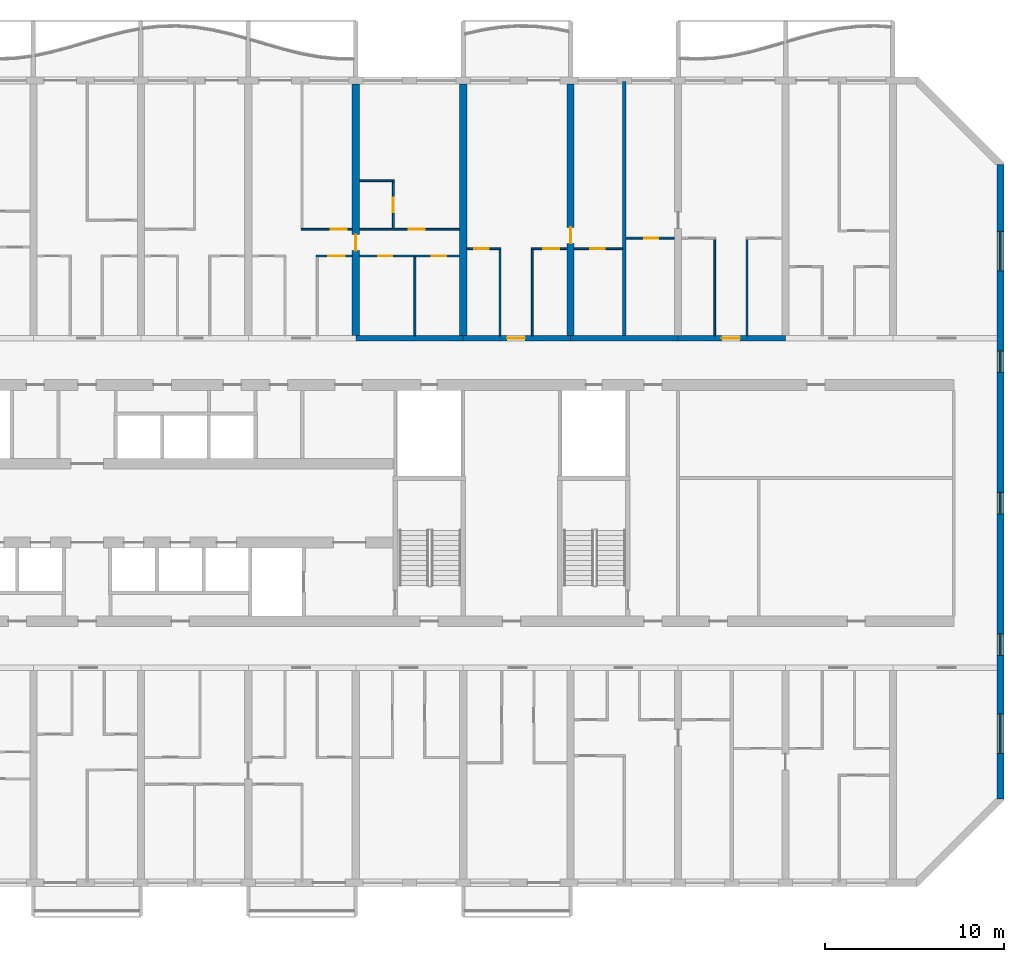
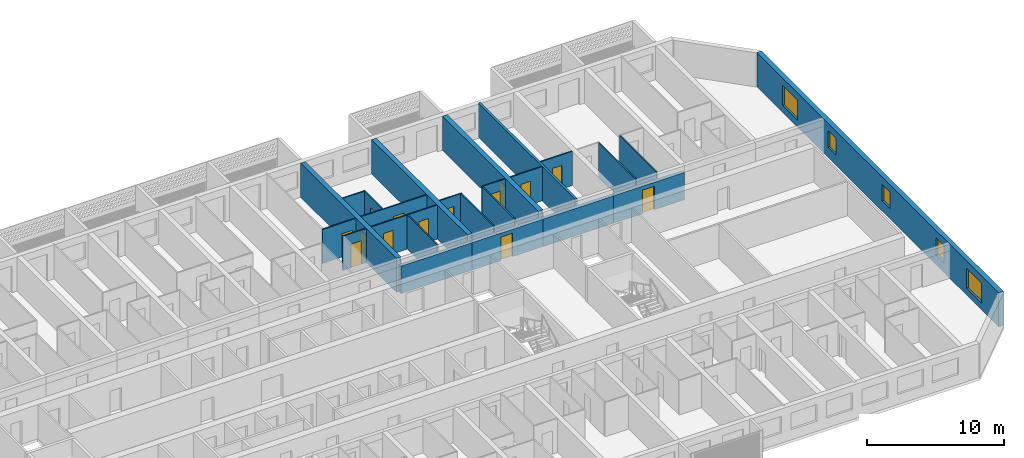
# One storey, part 18 of 44: 24 walls, 14 doors, 5 windows, 19 openings.
"""IFC4 building model written with IfcOpenShell, lengths in metres."""

from ifc_helpers import new_model, si_unit, direction, frame, frame_2d, origin, place, context, subcontext, project, spatial, rectangle, extrude, material, layer, layer_set, type_object, element, fill, save


model = new_model("IFC4")

# Units and contexts
model_context = context("Model", 3, precision=1e-05, world=origin(), true_north=direction((0.0, 1.0)))
body_context = subcontext(model_context, "Body", "Model", "MODEL_VIEW")
ifc_project = project(units=[si_unit("LENGTHUNIT", "METRE"), si_unit("AREAUNIT", "SQUARE_METRE"), si_unit("VOLUMEUNIT", "CUBIC_METRE"), si_unit("PLANEANGLEUNIT", "RADIAN"), si_unit("MASSUNIT", "GRAM", prefix="KILO")], contexts=[model_context])

# Site, building, storey
site_placement = place(None, origin())
site = spatial("IfcSite", under=ifc_project, at=site_placement, CompositionType="ELEMENT")
building_placement = place(site_placement, origin())
building = spatial("IfcBuilding", under=site, at=building_placement, Name="Poui Terraces", CompositionType="ELEMENT")
storey_placement = place(building_placement, frame((0.0, 0.0, 30.0)))
storey = spatial("IfcBuildingStorey", under=building, at=storey_placement, Name="L07", CompositionType="ELEMENT", Elevation=30.0)

# Wall
ifc_material_1 = material(Name="Concrete 80 MPa", Category="concrete")
ifc_layer_1 = layer(ifc_material_1, 0.300048828125)
ifc_layer_set_1 = layer_set([ifc_layer_1], Name="Concrete 80 MPa")
wall_type_1 = type_object("IfcWallType", Name="CORRIDOR WALL 300 80MPa", PredefinedType="SHEAR", material=ifc_layer_set_1)
wall_1_placement = place(storey_placement, frame((66.0, 30.39990234375, 0.0), z_axis=(0.0, 0.0, 1.0), x_axis=(1.0, 0.0, 0.0)))
element("IfcWall", 1, at=wall_1_placement, inside=storey, type_object=wall_type_1, Name="CORRIDOR WALL LINE E BAY 12", PredefinedType="SHEAR", context=body_context, shape_type="SweptSolid", body=[
    extrude(rectangle(XDim=6.0, YDim=0.300048828125, at=frame_2d((3.0, 0.0))), origin(), (0.0, 0.0, 1.0), 2.449951171875),
])

# Wall, opening, door
wall_2_placement = place(storey_placement, frame((72.0, 30.39990234375, 0.0), z_axis=(0.0, 0.0, 1.0), x_axis=(1.0, 0.0, 0.0)))
wall_2 = element("IfcWall", 2, at=wall_2_placement, inside=storey, type_object=wall_type_1, Name="CORRIDOR WALL LINE E BAY 13", PredefinedType="SHEAR", context=body_context, shape_type="SweptSolid", body=[
    extrude(rectangle(XDim=6.0, YDim=0.300048828125, at=frame_2d((3.0, 0.0))), origin(), (0.0, 0.0, 1.0), 2.449951171875),
])
opening_1_placement = place(wall_2_placement, frame((2.449951171875, 0.0, 0.0)))
opening_1 = element("IfcOpeningElement", 3, at=opening_1_placement, cuts=wall_2, Name="Opening FD30S", PredefinedType="OPENING", context=body_context, shape_type="SweptSolid", body=[
    extrude(rectangle(XDim=1.0, YDim=2.10009765625, at=frame_2d((0.5, 1.050048828125))), frame((0.0, 0.16015625, 0.0), z_axis=(0.0, -1.0, 0.0), x_axis=(1.0, 0.0, 0.0)), (0.0, 0.0, 1.0), 0.320068359375),
])
ifc_material_2 = material(Name="Steel fire door", Category="steel")
door_type_1 = type_object("IfcDoorType", Name="FLAT ENTRANCE DOOR 1000 X 2100", OperationType="NOTDEFINED", PredefinedType="DOOR", material=ifc_material_2)
door_1_placement = place(opening_1_placement, origin())
door_1 = element("IfcDoor", 4, at=door_1_placement, inside=storey, type_object=door_type_1, Name="FLAT ENTRANCE DOOR 078", OperationType="SINGLE_SWING_LEFT", OverallHeight=2.10009765625, OverallWidth=1.0, PredefinedType="DOOR", context=body_context, shape_type="SweptSolid", body=[
    extrude(rectangle(XDim=1.0, YDim=2.10009765625, at=frame_2d((0.5, 1.050048828125))), frame((0.0, 0.02490234375, 0.0), z_axis=(0.0, -1.0, 0.0), x_axis=(1.0, 0.0, 0.0)), (0.0, 0.0, 1.0), 0.050048828125),
])
fill(opening_1, door_1)

# Wall
wall_3_placement = place(storey_placement, frame((78.0, 30.39990234375, 0.0), z_axis=(0.0, 0.0, 1.0), x_axis=(1.0, 0.0, 0.0)))
element("IfcWall", 5, at=wall_3_placement, inside=storey, type_object=wall_type_1, Name="CORRIDOR WALL LINE E BAY 14", PredefinedType="SHEAR", context=body_context, shape_type="SweptSolid", body=[
    extrude(rectangle(XDim=6.0, YDim=0.300048828125, at=frame_2d((3.0, 0.0))), origin(), (0.0, 0.0, 1.0), 2.449951171875),
])

# Wall, opening, door
wall_4_placement = place(storey_placement, frame((84.0, 30.39990234375, 0.0), z_axis=(0.0, 0.0, 1.0), x_axis=(1.0, 0.0, 0.0)))
wall_4 = element("IfcWall", 6, at=wall_4_placement, inside=storey, type_object=wall_type_1, Name="CORRIDOR WALL LINE E BAY 15", PredefinedType="SHEAR", context=body_context, shape_type="SweptSolid", body=[
    extrude(rectangle(XDim=6.0, YDim=0.300048828125, at=frame_2d((3.0, 0.0))), origin(), (0.0, 0.0, 1.0), 2.449951171875),
])
opening_2_placement = place(wall_4_placement, frame((2.449951171875, 0.0, 0.0)))
opening_2 = element("IfcOpeningElement", 7, at=opening_2_placement, cuts=wall_4, Name="Opening FD30S", PredefinedType="OPENING", context=body_context, shape_type="SweptSolid", body=[
    extrude(rectangle(XDim=1.0, YDim=2.10009765625, at=frame_2d((0.5, 1.050048828125))), frame((0.0, 0.16015625, 0.0), z_axis=(0.0, -1.0, 0.0), x_axis=(1.0, 0.0, 0.0)), (0.0, 0.0, 1.0), 0.320068359375),
])
door_2_placement = place(opening_2_placement, origin())
door_2 = element("IfcDoor", 8, at=door_2_placement, inside=storey, type_object=door_type_1, Name="FLAT ENTRANCE DOOR 084", OperationType="SINGLE_SWING_LEFT", OverallHeight=2.10009765625, OverallWidth=1.0, PredefinedType="DOOR", context=body_context, shape_type="SweptSolid", body=[
    extrude(rectangle(XDim=1.0, YDim=2.10009765625, at=frame_2d((0.5, 1.050048828125))), frame((0.0, 0.02490234375, 0.0), z_axis=(0.0, -1.0, 0.0), x_axis=(1.0, 0.0, 0.0)), (0.0, 0.0, 1.0), 0.050048828125),
])
fill(opening_2, door_2)

ifc_layer_2 = layer(ifc_material_1, 0.39990234375)
ifc_layer_set_2 = layer_set([ifc_layer_2], Name="Concrete 80 MPa")
wall_type_2 = type_object("IfcWallType", Name="CROSS WALL 400 80MPa", PredefinedType="SHEAR", material=ifc_layer_set_2)
wall_5_placement = place(storey_placement, frame((66.0, 30.550048828125, 0.0), z_axis=(0.0, 0.0, 1.0), x_axis=(0.0, 1.0, 0.0)))
wall_5 = element("IfcWall", 9, at=wall_5_placement, inside=storey, type_object=wall_type_2, Name="CROSS WALL LINE 12 NORTH", PredefinedType="SHEAR", context=body_context, shape_type="SweptSolid", body=[
    extrude(rectangle(XDim=14.050048828125, YDim=0.39990234375, at=frame_2d((7.02490234375, 0.0))), origin(), (0.0, 0.0, 1.0), 3.050048828125),
])
opening_3_placement = place(wall_5_placement, frame((4.75, 0.0, 0.0)))
opening_3 = element("IfcOpeningElement", 10, at=opening_3_placement, cuts=wall_5, Name="Opening D90", PredefinedType="OPENING", context=body_context, shape_type="SweptSolid", body=[
    extrude(rectangle(XDim=0.89990234375, YDim=2.10009765625, at=frame_2d((0.449951171875, 1.050048828125))), frame((0.0, 0.2099609375, 0.0), z_axis=(0.0, -1.0, 0.0), x_axis=(1.0, 0.0, 0.0)), (0.0, 0.0, 1.0), 0.419921875),
])
ifc_material_3 = material(Name="Solid core timber door", Category="wood")
door_type_2 = type_object("IfcDoorType", Name="INTERNAL DOOR 900 X 2100", OperationType="NOTDEFINED", PredefinedType="DOOR", material=ifc_material_3)
door_3_placement = place(opening_3_placement, origin())
door_3 = element("IfcDoor", 11, at=door_3_placement, inside=storey, type_object=door_type_2, Name="INTERNAL DOOR 074", OperationType="SINGLE_SWING_LEFT", OverallHeight=2.10009765625, OverallWidth=0.89990234375, PredefinedType="DOOR", context=body_context, shape_type="SweptSolid", body=[
    extrude(rectangle(XDim=0.89990234375, YDim=2.10009765625, at=frame_2d((0.449951171875, 1.050048828125))), frame((0.0, 0.02490234375, 0.0), z_axis=(0.0, -1.0, 0.0), x_axis=(1.0, 0.0, 0.0)), (0.0, 0.0, 1.0), 0.050048828125),
])
fill(opening_3, door_3)

# Wall
wall_6_placement = place(storey_placement, frame((72.0, 30.550048828125, 0.0), z_axis=(0.0, 0.0, 1.0), x_axis=(0.0, 1.0, 0.0)))
element("IfcWall", 12, at=wall_6_placement, inside=storey, type_object=wall_type_2, Name="CROSS WALL LINE 13 NORTH", PredefinedType="SHEAR", context=body_context, shape_type="SweptSolid", body=[
    extrude(rectangle(XDim=14.050048828125, YDim=0.39990234375, at=frame_2d((7.02490234375, 0.0))), origin(), (0.0, 0.0, 1.0), 3.050048828125),
])

# Wall, opening, door
wall_7_placement = place(storey_placement, frame((78.0, 30.550048828125, 0.0), z_axis=(0.0, 0.0, 1.0), x_axis=(0.0, 1.0, 0.0)))
wall_7 = element("IfcWall", 13, at=wall_7_placement, inside=storey, type_object=wall_type_2, Name="CROSS WALL LINE 14 NORTH", PredefinedType="SHEAR", context=body_context, shape_type="SweptSolid", body=[
    extrude(rectangle(XDim=14.050048828125, YDim=0.39990234375, at=frame_2d((7.02490234375, 0.0))), origin(), (0.0, 0.0, 1.0), 3.050048828125),
])
opening_4_placement = place(wall_7_placement, frame((5.14990234375, 0.0, 0.0)))
opening_4 = element("IfcOpeningElement", 14, at=opening_4_placement, cuts=wall_7, Name="Opening D90", PredefinedType="OPENING", context=body_context, shape_type="SweptSolid", body=[
    extrude(rectangle(XDim=0.89990234375, YDim=2.10009765625, at=frame_2d((0.449951171875, 1.050048828125))), frame((0.0, 0.2099609375, 0.0), z_axis=(0.0, -1.0, 0.0), x_axis=(1.0, 0.0, 0.0)), (0.0, 0.0, 1.0), 0.419921875),
])
door_4_placement = place(opening_4_placement, frame((0.89990234375, 0.0, 0.0), z_axis=(0.0, 0.0, 1.0), x_axis=(-1.0, 0.0, 0.0)))
door_4 = element("IfcDoor", 15, at=door_4_placement, inside=storey, type_object=door_type_2, Name="INTERNAL DOOR 080", OperationType="SINGLE_SWING_RIGHT", OverallHeight=2.10009765625, OverallWidth=0.89990234375, PredefinedType="DOOR", context=body_context, shape_type="SweptSolid", body=[
    extrude(rectangle(XDim=0.89990234375, YDim=2.10009765625, at=frame_2d((0.449951171875, 1.050048828125))), frame((0.0, 0.02490234375, 0.0), z_axis=(0.0, -1.0, 0.0), x_axis=(1.0, 0.0, 0.0)), (0.0, 0.0, 1.0), 0.050048828125),
])
fill(opening_4, door_4)

# Wall, openings, windows
ifc_layer_3 = layer(ifc_material_1, 0.39990234375)
ifc_layer_set_3 = layer_set([ifc_layer_3], Name="Concrete 80 MPa")
wall_type_3 = type_object("IfcWallType", Name="END WALL 400 80MPa", PredefinedType="SHEAR", material=ifc_layer_set_3)
wall_8_placement = place(storey_placement, frame((102.0, 4.682861328125, 0.0), z_axis=(0.0, 0.0, 1.0), x_axis=(0.0, 1.0, 0.0)))
wall_8 = element("IfcWall", 16, at=wall_8_placement, inside=storey, type_object=wall_type_3, Name="END WALL EAST", PredefinedType="SHEAR", context=body_context, shape_type="SweptSolid", body=[
    extrude(rectangle(XDim=35.434326171875, YDim=0.39990234375, at=frame_2d((17.71728515625, 0.0))), origin(), (0.0, 0.0, 1.0), 3.050048828125),
])
opening_5_placement = place(wall_8_placement, frame((15.917236328125, 0.0, 0.89990234375)))
opening_5 = element("IfcOpeningElement", 17, at=opening_5_placement, cuts=wall_8, Name="Opening W2", PredefinedType="OPENING", context=body_context, shape_type="SweptSolid", body=[
    extrude(rectangle(XDim=1.199951171875, YDim=1.5, at=frame_2d((0.60009765625, 0.75))), frame((0.0, 0.2099609375, 0.0), z_axis=(0.0, -1.0, 0.0), x_axis=(1.0, 0.0, 0.0)), (0.0, 0.0, 1.0), 0.419921875),
])
opening_6_placement = place(wall_8_placement, frame((23.817138671875, 0.0, 0.89990234375)))
opening_6 = element("IfcOpeningElement", 18, at=opening_6_placement, cuts=wall_8, Name="Opening W2", PredefinedType="OPENING", context=body_context, shape_type="SweptSolid", body=[
    extrude(rectangle(XDim=1.199951171875, YDim=1.5, at=frame_2d((0.60009765625, 0.75))), frame((0.0, 0.2099609375, 0.0), z_axis=(0.0, -1.0, 0.0), x_axis=(1.0, 0.0, 0.0)), (0.0, 0.0, 1.0), 0.419921875),
])
opening_7_placement = place(wall_8_placement, frame((8.01708984375, 0.0, 0.89990234375)))
opening_7 = element("IfcOpeningElement", 19, at=opening_7_placement, cuts=wall_8, Name="Opening W2", PredefinedType="OPENING", context=body_context, shape_type="SweptSolid", body=[
    extrude(rectangle(XDim=1.199951171875, YDim=1.5, at=frame_2d((0.60009765625, 0.75))), frame((0.0, 0.2099609375, 0.0), z_axis=(0.0, -1.0, 0.0), x_axis=(1.0, 0.0, 0.0)), (0.0, 0.0, 1.0), 0.419921875),
])
opening_8_placement = place(wall_8_placement, frame((29.493408203125, 0.0, 0.60009765625)))
opening_8 = element("IfcOpeningElement", 20, at=opening_8_placement, cuts=wall_8, Name="Opening W3", PredefinedType="OPENING", context=body_context, shape_type="SweptSolid", body=[
    extrude(rectangle(XDim=2.199951171875, YDim=1.800048828125, at=frame_2d((1.10009765625, 0.89990234375))), frame((0.0, 0.2099609375, 0.0), z_axis=(0.0, -1.0, 0.0), x_axis=(1.0, 0.0, 0.0)), (0.0, 0.0, 1.0), 0.419921875),
])
opening_9_placement = place(wall_8_placement, frame((2.541015625, 0.0, 0.60009765625)))
opening_9 = element("IfcOpeningElement", 21, at=opening_9_placement, cuts=wall_8, Name="Opening W3", PredefinedType="OPENING", context=body_context, shape_type="SweptSolid", body=[
    extrude(rectangle(XDim=2.199951171875, YDim=1.800048828125, at=frame_2d((1.10009765625, 0.89990234375))), frame((0.0, 0.2099609375, 0.0), z_axis=(0.0, -1.0, 0.0), x_axis=(1.0, 0.0, 0.0)), (0.0, 0.0, 1.0), 0.419921875),
])
ifc_material_4 = material(Name="Clear glass in aluminium frame", Category="aluminium")
window_type_1 = type_object("IfcWindowType", Name="WINDOW 1200X1500", PartitioningType="SINGLE_PANEL", PredefinedType="WINDOW", material=ifc_material_4)
window_1_placement = place(opening_5_placement, origin())
window_1 = element("IfcWindow", 22, at=window_1_placement, inside=storey, type_object=window_type_1, Name="W2 WINDOW", OverallHeight=1.5, OverallWidth=1.199951171875, PartitioningType="SINGLE_PANEL", PredefinedType="WINDOW", context=body_context, shape_type="SweptSolid", body=[
    extrude(rectangle(XDim=1.199951171875, YDim=1.5, at=frame_2d((0.60009765625, 0.75))), frame((0.0, 0.030029296875, 0.0), z_axis=(0.0, -1.0, 0.0), x_axis=(1.0, 0.0, 0.0)), (0.0, 0.0, 1.0), 0.06005859375),
])
fill(opening_5, window_1)
window_2_placement = place(opening_6_placement, origin())
window_2 = element("IfcWindow", 23, at=window_2_placement, inside=storey, type_object=window_type_1, Name="W2 WINDOW", OverallHeight=1.5, OverallWidth=1.199951171875, PartitioningType="SINGLE_PANEL", PredefinedType="WINDOW", context=body_context, shape_type="SweptSolid", body=[
    extrude(rectangle(XDim=1.199951171875, YDim=1.5, at=frame_2d((0.60009765625, 0.75))), frame((0.0, 0.030029296875, 0.0), z_axis=(0.0, -1.0, 0.0), x_axis=(1.0, 0.0, 0.0)), (0.0, 0.0, 1.0), 0.06005859375),
])
fill(opening_6, window_2)
window_3_placement = place(opening_7_placement, origin())
window_3 = element("IfcWindow", 24, at=window_3_placement, inside=storey, type_object=window_type_1, Name="W2 WINDOW", OverallHeight=1.5, OverallWidth=1.199951171875, PartitioningType="SINGLE_PANEL", PredefinedType="WINDOW", context=body_context, shape_type="SweptSolid", body=[
    extrude(rectangle(XDim=1.199951171875, YDim=1.5, at=frame_2d((0.60009765625, 0.75))), frame((0.0, 0.030029296875, 0.0), z_axis=(0.0, -1.0, 0.0), x_axis=(1.0, 0.0, 0.0)), (0.0, 0.0, 1.0), 0.06005859375),
])
fill(opening_7, window_3)
window_type_2 = type_object("IfcWindowType", Name="WINDOW 2200X1800", PartitioningType="DOUBLE_PANEL_HORIZONTAL", PredefinedType="WINDOW", material=ifc_material_4)
window_4_placement = place(opening_8_placement, origin())
window_4 = element("IfcWindow", 25, at=window_4_placement, inside=storey, type_object=window_type_2, Name="W3 WINDOW", OverallHeight=1.800048828125, OverallWidth=2.199951171875, PartitioningType="DOUBLE_PANEL_HORIZONTAL", PredefinedType="WINDOW", context=body_context, shape_type="SweptSolid", body=[
    extrude(rectangle(XDim=2.199951171875, YDim=1.800048828125, at=frame_2d((1.10009765625, 0.89990234375))), frame((0.0, 0.030029296875, 0.0), z_axis=(0.0, -1.0, 0.0), x_axis=(1.0, 0.0, 0.0)), (0.0, 0.0, 1.0), 0.06005859375),
])
fill(opening_8, window_4)
window_5_placement = place(opening_9_placement, origin())
window_5 = element("IfcWindow", 26, at=window_5_placement, inside=storey, type_object=window_type_2, Name="W3 WINDOW", OverallHeight=1.800048828125, OverallWidth=2.199951171875, PartitioningType="DOUBLE_PANEL_HORIZONTAL", PredefinedType="WINDOW", context=body_context, shape_type="SweptSolid", body=[
    extrude(rectangle(XDim=2.199951171875, YDim=1.800048828125, at=frame_2d((1.10009765625, 0.89990234375))), frame((0.0, 0.030029296875, 0.0), z_axis=(0.0, -1.0, 0.0), x_axis=(1.0, 0.0, 0.0)), (0.0, 0.0, 1.0), 0.06005859375),
])
fill(opening_9, window_5)

# Wall, opening, door
ifc_material_5 = material(Name="Plasterboard partition")
ifc_layer_4 = layer(ifc_material_5, 0.10009765625)
ifc_layer_set_4 = layer_set([ifc_layer_4], Name="Plasterboard partition")
wall_type_4 = type_object("IfcWallType", Name="FLAT PARTITION 100", PredefinedType="PARTITIONING", material=ifc_layer_set_4)
wall_9_placement = place(storey_placement, frame((63.800048828125, 35.0, 0.0), z_axis=(0.0, 0.0, 1.0), x_axis=(1.0, 0.0, 0.0)))
wall_9 = element("IfcWall", 27, at=wall_9_placement, inside=storey, type_object=wall_type_4, Name="FLAT PARTITION 100", PredefinedType="PARTITIONING", context=body_context, shape_type="SweptSolid", body=[
    extrude(rectangle(XDim=1.989990234375, YDim=0.10009765625, at=frame_2d((0.9951171875, 0.0))), origin(), (0.0, 0.0, 1.0), 3.050048828125),
])
opening_10_placement = place(wall_9_placement, frame((0.675048828125, 0.0, 0.0)))
opening_10 = element("IfcOpeningElement", 28, at=opening_10_placement, cuts=wall_9, Name="Opening D90", PredefinedType="OPENING", context=body_context, shape_type="SweptSolid", body=[
    extrude(rectangle(XDim=0.89990234375, YDim=2.10009765625, at=frame_2d((0.449951171875, 1.050048828125))), frame((0.0, 0.06005859375, 0.0), z_axis=(0.0, -1.0, 0.0), x_axis=(1.0, 0.0, 0.0)), (0.0, 0.0, 1.0), 0.1201171875),
])
door_5_placement = place(opening_10_placement, frame((0.89990234375, 0.0, 0.0), z_axis=(0.0, 0.0, 1.0), x_axis=(-1.0, 0.0, 0.0)))
door_5 = element("IfcDoor", 29, at=door_5_placement, inside=storey, type_object=door_type_2, Name="INTERNAL DOOR 072", OperationType="SINGLE_SWING_LEFT", OverallHeight=2.10009765625, OverallWidth=0.89990234375, PredefinedType="DOOR", context=body_context, shape_type="SweptSolid", body=[
    extrude(rectangle(XDim=0.89990234375, YDim=2.10009765625, at=frame_2d((0.449951171875, 1.050048828125))), frame((0.0, 0.02490234375, 0.0), z_axis=(0.0, -1.0, 0.0), x_axis=(1.0, 0.0, 0.0)), (0.0, 0.0, 1.0), 0.050048828125),
])
fill(opening_10, door_5)

# Wall, openings, doors
wall_10_placement = place(storey_placement, frame((66.2099609375, 35.0, 0.0), z_axis=(0.0, 0.0, 1.0), x_axis=(1.0, 0.0, 0.0)))
wall_10 = element("IfcWall", 30, at=wall_10_placement, inside=storey, type_object=wall_type_4, Name="FLAT PARTITION 100", PredefinedType="PARTITIONING", context=body_context, shape_type="SweptSolid", body=[
    extrude(rectangle(XDim=5.580078125, YDim=0.10009765625, at=frame_2d((2.7900390625, 0.0))), origin(), (0.0, 0.0, 1.0), 3.050048828125),
])
opening_11_placement = place(wall_10_placement, frame((1.0400390625, 0.0, 0.0)))
opening_11 = element("IfcOpeningElement", 31, at=opening_11_placement, cuts=wall_10, Name="Opening D80", PredefinedType="OPENING", context=body_context, shape_type="SweptSolid", body=[
    extrude(rectangle(XDim=0.800048828125, YDim=2.10009765625, at=frame_2d((0.39990234375, 1.050048828125))), frame((0.0, 0.06005859375, 0.0), z_axis=(0.0, -1.0, 0.0), x_axis=(1.0, 0.0, 0.0)), (0.0, 0.0, 1.0), 0.1201171875),
])
opening_12_placement = place(wall_10_placement, frame((4.0400390625, 0.0, 0.0)))
opening_12 = element("IfcOpeningElement", 32, at=opening_12_placement, cuts=wall_10, Name="Opening D80", PredefinedType="OPENING", context=body_context, shape_type="SweptSolid", body=[
    extrude(rectangle(XDim=0.800048828125, YDim=2.10009765625, at=frame_2d((0.39990234375, 1.050048828125))), frame((0.0, 0.06005859375, 0.0), z_axis=(0.0, -1.0, 0.0), x_axis=(1.0, 0.0, 0.0)), (0.0, 0.0, 1.0), 0.1201171875),
])
door_type_3 = type_object("IfcDoorType", Name="BATHROOM, LAUNDRY AND STORE DOOR 800 X 2100", OperationType="NOTDEFINED", PredefinedType="DOOR", material=ifc_material_3)
door_6_placement = place(opening_11_placement, frame((0.800048828125, 0.0, 0.0), z_axis=(0.0, 0.0, 1.0), x_axis=(-1.0, 0.0, 0.0)))
door_6 = element("IfcDoor", 33, at=door_6_placement, inside=storey, type_object=door_type_3, Name="BATHROOM, LAUNDRY AND STORE DOOR 067", OperationType="SINGLE_SWING_RIGHT", OverallHeight=2.10009765625, OverallWidth=0.800048828125, PredefinedType="DOOR", context=body_context, shape_type="SweptSolid", body=[
    extrude(rectangle(XDim=0.800048828125, YDim=2.10009765625, at=frame_2d((0.39990234375, 1.050048828125))), frame((0.0, 0.02490234375, 0.0), z_axis=(0.0, -1.0, 0.0), x_axis=(1.0, 0.0, 0.0)), (0.0, 0.0, 1.0), 0.050048828125),
])
fill(opening_11, door_6)
door_7_placement = place(opening_12_placement, frame((0.800048828125, 0.0, 0.0), z_axis=(0.0, 0.0, 1.0), x_axis=(-1.0, 0.0, 0.0)))
door_7 = element("IfcDoor", 34, at=door_7_placement, inside=storey, type_object=door_type_3, Name="BATHROOM, LAUNDRY AND STORE DOOR 069", OperationType="SINGLE_SWING_LEFT", OverallHeight=2.10009765625, OverallWidth=0.800048828125, PredefinedType="DOOR", context=body_context, shape_type="SweptSolid", body=[
    extrude(rectangle(XDim=0.800048828125, YDim=2.10009765625, at=frame_2d((0.39990234375, 1.050048828125))), frame((0.0, 0.02490234375, 0.0), z_axis=(0.0, -1.0, 0.0), x_axis=(1.0, 0.0, 0.0)), (0.0, 0.0, 1.0), 0.050048828125),
])
fill(opening_12, door_7)

# Wall, opening, door
wall_11_placement = place(storey_placement, frame((72.2099609375, 35.39990234375, 0.0), z_axis=(0.0, 0.0, 1.0), x_axis=(1.0, 0.0, 0.0)))
wall_11 = element("IfcWall", 35, at=wall_11_placement, inside=storey, type_object=wall_type_4, Name="FLAT PARTITION 100", PredefinedType="PARTITIONING", context=body_context, shape_type="SweptSolid", body=[
    extrude(rectangle(XDim=1.89013671875, YDim=0.10009765625, at=frame_2d((0.945068359375, 0.0))), origin(), (0.0, 0.0, 1.0), 3.050048828125),
])
opening_13_placement = place(wall_11_placement, frame((0.4150390625, 0.0, 0.0)))
opening_13 = element("IfcOpeningElement", 36, at=opening_13_placement, cuts=wall_11, Name="Opening D80", PredefinedType="OPENING", context=body_context, shape_type="SweptSolid", body=[
    extrude(rectangle(XDim=0.800048828125, YDim=2.10009765625, at=frame_2d((0.39990234375, 1.050048828125))), frame((0.0, 0.06005859375, 0.0), z_axis=(0.0, -1.0, 0.0), x_axis=(1.0, 0.0, 0.0)), (0.0, 0.0, 1.0), 0.1201171875),
])
door_8_placement = place(opening_13_placement, frame((0.800048828125, 0.0, 0.0), z_axis=(0.0, 0.0, 1.0), x_axis=(-1.0, 0.0, 0.0)))
door_8 = element("IfcDoor", 37, at=door_8_placement, inside=storey, type_object=door_type_3, Name="BATHROOM, LAUNDRY AND STORE DOOR 077", OperationType="SINGLE_SWING_RIGHT", OverallHeight=2.10009765625, OverallWidth=0.800048828125, PredefinedType="DOOR", context=body_context, shape_type="SweptSolid", body=[
    extrude(rectangle(XDim=0.800048828125, YDim=2.10009765625, at=frame_2d((0.39990234375, 1.050048828125))), frame((0.0, 0.02490234375, 0.0), z_axis=(0.0, -1.0, 0.0), x_axis=(1.0, 0.0, 0.0)), (0.0, 0.0, 1.0), 0.050048828125),
])
fill(opening_13, door_8)

wall_12_placement = place(storey_placement, frame((75.800048828125, 35.39990234375, 0.0), z_axis=(0.0, 0.0, 1.0), x_axis=(1.0, 0.0, 0.0)))
wall_12 = element("IfcWall", 38, at=wall_12_placement, inside=storey, type_object=wall_type_4, Name="FLAT PARTITION 100", PredefinedType="PARTITIONING", context=body_context, shape_type="SweptSolid", body=[
    extrude(rectangle(XDim=1.989990234375, YDim=0.10009765625, at=frame_2d((0.9951171875, 0.0))), origin(), (0.0, 0.0, 1.0), 3.050048828125),
])
opening_14_placement = place(wall_12_placement, frame((0.675048828125, 0.0, 0.0)))
opening_14 = element("IfcOpeningElement", 39, at=opening_14_placement, cuts=wall_12, Name="Opening D90", PredefinedType="OPENING", context=body_context, shape_type="SweptSolid", body=[
    extrude(rectangle(XDim=0.89990234375, YDim=2.10009765625, at=frame_2d((0.449951171875, 1.050048828125))), frame((0.0, 0.06005859375, 0.0), z_axis=(0.0, -1.0, 0.0), x_axis=(1.0, 0.0, 0.0)), (0.0, 0.0, 1.0), 0.1201171875),
])
door_9_placement = place(opening_14_placement, frame((0.89990234375, 0.0, 0.0), z_axis=(0.0, 0.0, 1.0), x_axis=(-1.0, 0.0, 0.0)))
door_9 = element("IfcDoor", 40, at=door_9_placement, inside=storey, type_object=door_type_2, Name="INTERNAL DOOR 079", OperationType="SINGLE_SWING_LEFT", OverallHeight=2.10009765625, OverallWidth=0.89990234375, PredefinedType="DOOR", context=body_context, shape_type="SweptSolid", body=[
    extrude(rectangle(XDim=0.89990234375, YDim=2.10009765625, at=frame_2d((0.449951171875, 1.050048828125))), frame((0.0, 0.02490234375, 0.0), z_axis=(0.0, -1.0, 0.0), x_axis=(1.0, 0.0, 0.0)), (0.0, 0.0, 1.0), 0.050048828125),
])
fill(opening_14, door_9)

wall_13_placement = place(storey_placement, frame((78.2099609375, 35.39990234375, 0.0), z_axis=(0.0, 0.0, 1.0), x_axis=(1.0, 0.0, 0.0)))
wall_13 = element("IfcWall", 41, at=wall_13_placement, inside=storey, type_object=wall_type_4, Name="FLAT PARTITION 100", PredefinedType="PARTITIONING", context=body_context, shape_type="SweptSolid", body=[
    extrude(rectangle(XDim=2.68994140625, YDim=0.10009765625, at=frame_2d((1.344970703125, 0.0))), origin(), (0.0, 0.0, 1.0), 3.050048828125),
])
opening_15_placement = place(wall_13_placement, frame((0.889892578125, 0.0, 0.0)))
opening_15 = element("IfcOpeningElement", 42, at=opening_15_placement, cuts=wall_13, Name="Opening D80", PredefinedType="OPENING", context=body_context, shape_type="SweptSolid", body=[
    extrude(rectangle(XDim=0.800048828125, YDim=2.10009765625, at=frame_2d((0.39990234375, 1.050048828125))), frame((0.0, 0.06005859375, 0.0), z_axis=(0.0, -1.0, 0.0), x_axis=(1.0, 0.0, 0.0)), (0.0, 0.0, 1.0), 0.1201171875),
])
door_10_placement = place(opening_15_placement, frame((0.800048828125, 0.0, 0.0), z_axis=(0.0, 0.0, 1.0), x_axis=(-1.0, 0.0, 0.0)))
door_10 = element("IfcDoor", 43, at=door_10_placement, inside=storey, type_object=door_type_3, Name="BATHROOM, LAUNDRY AND STORE DOOR 076", OperationType="SINGLE_SWING_LEFT", OverallHeight=2.10009765625, OverallWidth=0.800048828125, PredefinedType="DOOR", context=body_context, shape_type="SweptSolid", body=[
    extrude(rectangle(XDim=0.800048828125, YDim=2.10009765625, at=frame_2d((0.39990234375, 1.050048828125))), frame((0.0, 0.02490234375, 0.0), z_axis=(0.0, -1.0, 0.0), x_axis=(1.0, 0.0, 0.0)), (0.0, 0.0, 1.0), 0.050048828125),
])
fill(opening_15, door_10)

wall_14_placement = place(storey_placement, frame((81.10009765625, 36.0, 0.0), z_axis=(0.0, 0.0, 1.0), x_axis=(1.0, 0.0, 0.0)))
wall_14 = element("IfcWall", 44, at=wall_14_placement, inside=storey, type_object=wall_type_4, Name="FLAT PARTITION 100", PredefinedType="PARTITIONING", context=body_context, shape_type="SweptSolid", body=[
    extrude(rectangle(XDim=2.68994140625, YDim=0.10009765625, at=frame_2d((1.344970703125, 0.0))), origin(), (0.0, 0.0, 1.0), 3.050048828125),
])
opening_16_placement = place(wall_14_placement, frame((1.0, 0.0, 0.0)))
opening_16 = element("IfcOpeningElement", 45, at=opening_16_placement, cuts=wall_14, Name="Opening D80", PredefinedType="OPENING", context=body_context, shape_type="SweptSolid", body=[
    extrude(rectangle(XDim=0.800048828125, YDim=2.10009765625, at=frame_2d((0.39990234375, 1.050048828125))), frame((0.0, 0.06005859375, 0.0), z_axis=(0.0, -1.0, 0.0), x_axis=(1.0, 0.0, 0.0)), (0.0, 0.0, 1.0), 0.1201171875),
])
door_11_placement = place(opening_16_placement, frame((0.800048828125, 0.0, 0.0), z_axis=(0.0, 0.0, 1.0), x_axis=(-1.0, 0.0, 0.0)))
door_11 = element("IfcDoor", 46, at=door_11_placement, inside=storey, type_object=door_type_3, Name="BATHROOM, LAUNDRY AND STORE DOOR 081", OperationType="SINGLE_SWING_RIGHT", OverallHeight=2.10009765625, OverallWidth=0.800048828125, PredefinedType="DOOR", context=body_context, shape_type="SweptSolid", body=[
    extrude(rectangle(XDim=0.800048828125, YDim=2.10009765625, at=frame_2d((0.39990234375, 1.050048828125))), frame((0.0, 0.02490234375, 0.0), z_axis=(0.0, -1.0, 0.0), x_axis=(1.0, 0.0, 0.0)), (0.0, 0.0, 1.0), 0.050048828125),
])
fill(opening_16, door_11)

wall_15_placement = place(storey_placement, frame((62.949951171875, 36.5, 0.0), z_axis=(0.0, 0.0, 1.0), x_axis=(1.0, 0.0, 0.0)))
wall_15 = element("IfcWall", 47, at=wall_15_placement, inside=storey, type_object=wall_type_4, Name="FLAT PARTITION 100", PredefinedType="PARTITIONING", context=body_context, shape_type="SweptSolid", body=[
    extrude(rectangle(XDim=2.840087890625, YDim=0.10009765625, at=frame_2d((1.419921875, 0.0))), origin(), (0.0, 0.0, 1.0), 3.050048828125),
])
opening_17_placement = place(wall_15_placement, frame((1.64990234375, 0.0, 0.0)))
opening_17 = element("IfcOpeningElement", 48, at=opening_17_placement, cuts=wall_15, Name="Opening D90", PredefinedType="OPENING", context=body_context, shape_type="SweptSolid", body=[
    extrude(rectangle(XDim=0.89990234375, YDim=2.10009765625, at=frame_2d((0.449951171875, 1.050048828125))), frame((0.0, 0.06005859375, 0.0), z_axis=(0.0, -1.0, 0.0), x_axis=(1.0, 0.0, 0.0)), (0.0, 0.0, 1.0), 0.1201171875),
])
door_12_placement = place(opening_17_placement, frame((0.89990234375, 0.0, 0.0), z_axis=(0.0, 0.0, 1.0), x_axis=(-1.0, 0.0, 0.0)))
door_12 = element("IfcDoor", 49, at=door_12_placement, inside=storey, type_object=door_type_2, Name="INTERNAL DOOR 073", OperationType="SINGLE_SWING_RIGHT", OverallHeight=2.10009765625, OverallWidth=0.89990234375, PredefinedType="DOOR", context=body_context, shape_type="SweptSolid", body=[
    extrude(rectangle(XDim=0.89990234375, YDim=2.10009765625, at=frame_2d((0.449951171875, 1.050048828125))), frame((0.0, 0.02490234375, 0.0), z_axis=(0.0, -1.0, 0.0), x_axis=(1.0, 0.0, 0.0)), (0.0, 0.0, 1.0), 0.050048828125),
])
fill(opening_17, door_12)

wall_16_placement = place(storey_placement, frame((66.2099609375, 36.5, 0.0), z_axis=(0.0, 0.0, 1.0), x_axis=(1.0, 0.0, 0.0)))
wall_16 = element("IfcWall", 50, at=wall_16_placement, inside=storey, type_object=wall_type_4, Name="FLAT PARTITION 100", PredefinedType="PARTITIONING", context=body_context, shape_type="SweptSolid", body=[
    extrude(rectangle(XDim=5.580078125, YDim=0.10009765625, at=frame_2d((2.7900390625, 0.0))), origin(), (0.0, 0.0, 1.0), 3.050048828125),
])
opening_18_placement = place(wall_16_placement, frame((2.739990234375, 0.0, 0.0)))
opening_18 = element("IfcOpeningElement", 51, at=opening_18_placement, cuts=wall_16, Name="Opening D90", PredefinedType="OPENING", context=body_context, shape_type="SweptSolid", body=[
    extrude(rectangle(XDim=0.89990234375, YDim=2.10009765625, at=frame_2d((0.449951171875, 1.050048828125))), frame((0.0, 0.06005859375, 0.0), z_axis=(0.0, -1.0, 0.0), x_axis=(1.0, 0.0, 0.0)), (0.0, 0.0, 1.0), 0.1201171875),
])
door_13_placement = place(opening_18_placement, origin())
door_13 = element("IfcDoor", 52, at=door_13_placement, inside=storey, type_object=door_type_2, Name="INTERNAL DOOR 068", OperationType="SINGLE_SWING_RIGHT", OverallHeight=2.10009765625, OverallWidth=0.89990234375, PredefinedType="DOOR", context=body_context, shape_type="SweptSolid", body=[
    extrude(rectangle(XDim=0.89990234375, YDim=2.10009765625, at=frame_2d((0.449951171875, 1.050048828125))), frame((0.0, 0.02490234375, 0.0), z_axis=(0.0, -1.0, 0.0), x_axis=(1.0, 0.0, 0.0)), (0.0, 0.0, 1.0), 0.050048828125),
])
fill(opening_18, door_13)

# Wall
wall_17_placement = place(storey_placement, frame((66.2099609375, 39.199951171875, 0.0), z_axis=(0.0, 0.0, 1.0), x_axis=(1.0, 0.0, 0.0)))
element("IfcWall", 53, at=wall_17_placement, inside=storey, type_object=wall_type_4, Name="FLAT PARTITION 100", PredefinedType="PARTITIONING", context=body_context, shape_type="SweptSolid", body=[
    extrude(rectangle(XDim=1.93994140625, YDim=0.10009765625, at=frame_2d((0.969970703125, 0.0))), origin(), (0.0, 0.0, 1.0), 3.050048828125),
])

# Wall, opening, door
wall_18_placement = place(storey_placement, frame((68.10009765625, 36.550048828125, 0.0), z_axis=(0.0, 0.0, 1.0), x_axis=(0.0, 1.0, 0.0)))
wall_18 = element("IfcWall", 54, at=wall_18_placement, inside=storey, type_object=wall_type_4, Name="FLAT PARTITION 100", PredefinedType="PARTITIONING", context=body_context, shape_type="SweptSolid", body=[
    extrude(rectangle(XDim=2.599853515625, YDim=0.10009765625, at=frame_2d((1.2998046875, 0.0))), origin(), (0.0, 0.0, 1.0), 3.050048828125),
])
opening_19_placement = place(wall_18_placement, frame((0.89990234375, 0.0, 0.0)))
opening_19 = element("IfcOpeningElement", 55, at=opening_19_placement, cuts=wall_18, Name="Opening D80", PredefinedType="OPENING", context=body_context, shape_type="SweptSolid", body=[
    extrude(rectangle(XDim=0.800048828125, YDim=2.10009765625, at=frame_2d((0.39990234375, 1.050048828125))), frame((0.0, 0.06005859375, 0.0), z_axis=(0.0, -1.0, 0.0), x_axis=(1.0, 0.0, 0.0)), (0.0, 0.0, 1.0), 0.1201171875),
])
door_14_placement = place(opening_19_placement, origin())
door_14 = element("IfcDoor", 56, at=door_14_placement, inside=storey, type_object=door_type_3, Name="BATHROOM, LAUNDRY AND STORE DOOR 075", OperationType="SINGLE_SWING_LEFT", OverallHeight=2.10009765625, OverallWidth=0.800048828125, PredefinedType="DOOR", context=body_context, shape_type="SweptSolid", body=[
    extrude(rectangle(XDim=0.800048828125, YDim=2.10009765625, at=frame_2d((0.39990234375, 1.050048828125))), frame((0.0, 0.02490234375, 0.0), z_axis=(0.0, -1.0, 0.0), x_axis=(1.0, 0.0, 0.0)), (0.0, 0.0, 1.0), 0.050048828125),
])
fill(opening_19, door_14)

# Walls
wall_19_placement = place(storey_placement, frame((69.300048828125, 30.56005859375, 0.0), z_axis=(0.0, 0.0, 1.0), x_axis=(0.0, 1.0, 0.0)))
element("IfcWall", 57, at=wall_19_placement, inside=storey, type_object=wall_type_4, Name="FLAT PARTITION 100", PredefinedType="PARTITIONING", context=body_context, shape_type="SweptSolid", body=[
    extrude(rectangle(XDim=4.389892578125, YDim=0.10009765625, at=frame_2d((2.19482421875, 0.0))), origin(), (0.0, 0.0, 1.0), 3.050048828125),
])
for number, where, z_axis, x_axis, name in (
    (58, (74.050048828125, 30.56005859375, 0.0), (0.0, 0.0, 1.0), (0.0, 1.0, 0.0), "FLAT PARTITION 100"),
    (59, (75.85009765625, 30.56005859375, 0.0), (0.0, 0.0, 1.0), (0.0, 1.0, 0.0), "FLAT PARTITION 100"),
):
    element("IfcWall", number, at=place(storey_placement, frame(where, z_axis=z_axis, x_axis=x_axis)), inside=storey, type_object=wall_type_4, Name=name, PredefinedType="PARTITIONING", context=body_context, shape_type="SweptSolid", body=[
        extrude(rectangle(XDim=4.7900390625, YDim=0.10009765625, at=frame_2d((2.39501953125, 0.0))), origin(), (0.0, 0.0, 1.0), 3.050048828125),
    ])
for number, where, z_axis, x_axis, name in (
    (60, (86.050048828125, 30.56005859375, 0.0), (0.0, 0.0, 1.0), (0.0, 1.0, 0.0), "FLAT PARTITION 100"),
    (61, (87.85009765625, 30.56005859375, 0.0), (0.0, 0.0, 1.0), (0.0, 1.0, 0.0), "FLAT PARTITION 100"),
):
    element("IfcWall", number, at=place(storey_placement, frame(where, z_axis=z_axis, x_axis=x_axis)), inside=storey, type_object=wall_type_4, Name=name, PredefinedType="PARTITIONING", context=body_context, shape_type="SweptSolid", body=[
        extrude(rectangle(XDim=5.389892578125, YDim=0.10009765625, at=frame_2d((2.69482421875, 0.0))), origin(), (0.0, 0.0, 1.0), 3.050048828125),
    ])
ifc_material_6 = material(Name="Fire-rated masonry wall", Category="masonry")
ifc_layer_5 = layer(ifc_material_6, 0.199951171875)
ifc_layer_set_5 = layer_set([ifc_layer_5], Name="Fire-rated masonry wall")
wall_type_5 = type_object("IfcWallType", Name="FLAT PARTY WALL 200", PredefinedType="PARTITIONING", material=ifc_layer_set_5)
wall_20_placement = place(storey_placement, frame((81.0, 30.56005859375, 0.0), z_axis=(0.0, 0.0, 1.0), x_axis=(0.0, 1.0, 0.0)))
element("IfcWall", 62, at=wall_20_placement, inside=storey, type_object=wall_type_5, Name="FLAT PARTY WALL 200", PredefinedType="PARTITIONING", context=body_context, shape_type="SweptSolid", body=[
    extrude(rectangle(XDim=14.179931640625, YDim=0.199951171875, at=frame_2d((7.08984375, 0.0))), origin(), (0.0, 0.0, 1.0), 3.050048828125),
])

save(model, "model.ifc")
